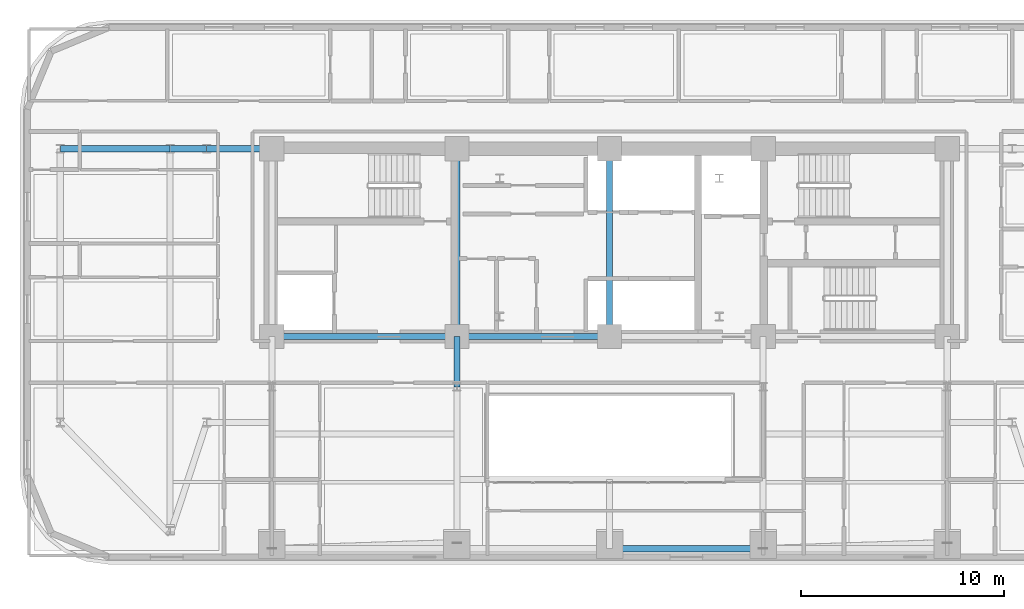
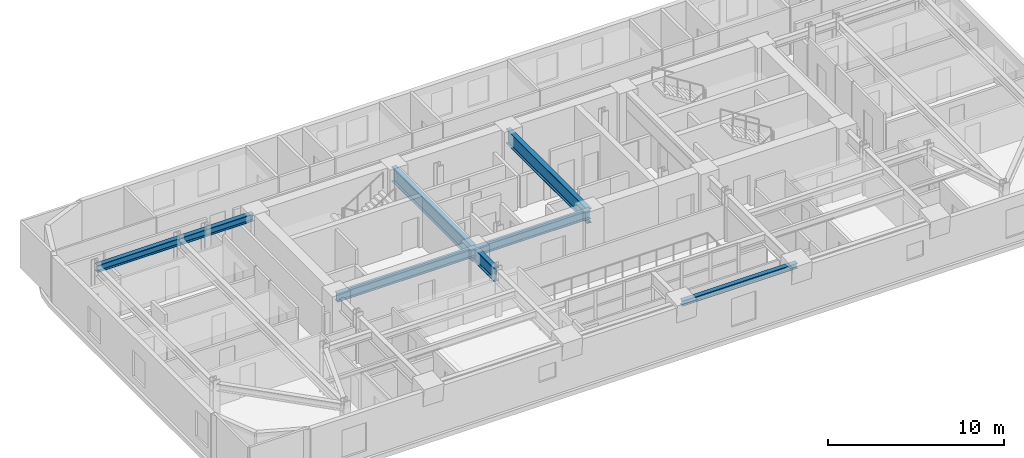
# One storey, part 4 of 16: 9 beams.
"""IFC4 building model written with IfcOpenShell, lengths in metres."""

from ifc_helpers import new_model, si_unit, direction, frame, origin, origin_2d, place, context, subcontext, project, spatial, i_section, extrude, material, material_profile, profile_set, type_object, element, save


model = new_model("IFC4")

# Units and contexts
model_context = context("Model", 3, precision=1e-05, world=origin(), true_north=direction((0.0, 1.0)))
body_context = subcontext(model_context, "Body", "Model", "MODEL_VIEW")
ifc_project = project(units=[si_unit("LENGTHUNIT", "METRE"), si_unit("AREAUNIT", "SQUARE_METRE"), si_unit("VOLUMEUNIT", "CUBIC_METRE"), si_unit("PLANEANGLEUNIT", "RADIAN"), si_unit("MASSUNIT", "GRAM", prefix="KILO")], contexts=[model_context])

# Site, building, storey
site_placement = place(None, origin())
site = spatial("IfcSite", under=ifc_project, at=site_placement, CompositionType="ELEMENT")
building_placement = place(site_placement, origin())
building = spatial("IfcBuilding", under=site, at=building_placement, Name="Zarnavel Station Tower", CompositionType="ELEMENT")
storey_placement = place(building_placement, frame((0.0, 0.0, 94.300048828125)))
storey = spatial("IfcBuildingStorey", under=building, at=storey_placement, Name="L25", CompositionType="ELEMENT", Elevation=94.300048828125)

# Beams
ifc_material_1 = material(Name="Steel S355J2", Category="steel")
ifc_material_profile_1 = material_profile(ifc_material_1, i_section(OverallWidth=0.300048828125, OverallDepth=0.360107421875, WebThickness=0.012451171875, FlangeThickness=0.0224609375, FilletRadius=0.027099609375, at=origin_2d()), Name="HEB360")
ifc_profile_set_1 = profile_set([ifc_material_profile_1], Name="Steel S355J2")
beam_type_1 = type_object("IfcBeamType", Name="EB_HEB360", PredefinedType="SPANDREL", material=ifc_profile_set_1)
beam_1_placement = place(storey_placement, frame((28.800048828125, 17.388916015625, 3.06005859375), z_axis=(1.0, 0.0, 0.0), x_axis=(0.0, 1.0, 0.0)))
element("IfcBeam", 1, at=beam_1_placement, inside=storey, type_object=beam_type_1, Name="L25 South Raked Spandrel 3", PredefinedType="SPANDREL", context=body_context, shape_type="SweptSolid", body=[
    extrude(i_section(OverallWidth=0.300048828125, OverallDepth=0.360107421875, WebThickness=0.012451171875, FlangeThickness=0.0224609375, FilletRadius=0.027099609375, at=origin_2d()), origin(), (0.0, 0.0, 1.0), 7.550048828125),
])
ifc_material_2 = material(Name="Steel S355J2", Category="steel")
ifc_material_profile_2 = material_profile(ifc_material_2, i_section(OverallWidth=0.300048828125, OverallDepth=0.5, WebThickness=0.014404296875, FlangeThickness=0.028076171875, FilletRadius=0.027099609375, at=origin_2d()), Name="HEB500")
ifc_profile_set_2 = profile_set([ifc_material_profile_2], Name="Steel S355J2")
beam_type_2 = type_object("IfcBeamType", Name="FG_HEB500", PredefinedType="USERDEFINED", material=ifc_profile_set_2)
beam_2_placement = place(storey_placement, frame((1.800048828125, 37.050048828125, 2.989990234375), z_axis=(1.0, 0.0, 0.0), x_axis=(0.0, 1.0, 0.0)))
element("IfcBeam", 2, at=beam_2_placement, inside=storey, type_object=beam_type_2, Name="L25 West Wing North Tie 1", ObjectType="GIRDER", PredefinedType="USERDEFINED", context=body_context, shape_type="SweptSolid", body=[
    extrude(i_section(OverallWidth=0.300048828125, OverallDepth=0.5, WebThickness=0.014404296875, FlangeThickness=0.028076171875, FilletRadius=0.027099609375, at=origin_2d()), origin(), (0.0, 0.0, 1.0), 5.39990234375),
])
beam_3_placement = place(storey_placement, frame((7.199951171875, 37.050048828125, 2.989990234375), z_axis=(1.0, 0.0, 0.0), x_axis=(0.0, 1.0, 0.0)))
element("IfcBeam", 3, at=beam_3_placement, inside=storey, type_object=beam_type_2, Name="L25 West Wing North Tie 2", ObjectType="GIRDER", PredefinedType="USERDEFINED", context=body_context, shape_type="SweptSolid", body=[
    extrude(i_section(OverallWidth=0.300048828125, OverallDepth=0.5, WebThickness=0.014404296875, FlangeThickness=0.028076171875, FilletRadius=0.027099609375, at=origin_2d()), origin(), (0.0, 0.0, 1.0), 1.800048828125),
])
beam_4_placement = place(storey_placement, frame((9.0, 37.050048828125, 2.989990234375), z_axis=(1.0, 0.0, 0.0), x_axis=(0.0, 1.0, 0.0)))
element("IfcBeam", 4, at=beam_4_placement, inside=storey, type_object=beam_type_2, Name="L25 West Wing North Tie 3", ObjectType="GIRDER", PredefinedType="USERDEFINED", context=body_context, shape_type="SweptSolid", body=[
    extrude(i_section(OverallWidth=0.300048828125, OverallDepth=0.5, WebThickness=0.014404296875, FlangeThickness=0.028076171875, FilletRadius=0.027099609375, at=origin_2d()), origin(), (0.0, 0.0, 1.0), 3.054931640625),
])
ifc_material_3 = material(Name="Steel S355J2", Category="steel")
ifc_material_profile_3 = material_profile(ifc_material_3, i_section(OverallWidth=0.300048828125, OverallDepth=0.60009765625, WebThickness=0.015380859375, FlangeThickness=0.030029296875, FilletRadius=0.027099609375, at=origin_2d()), Name="HEB600")
ifc_profile_set_3 = profile_set([ifc_material_profile_3], Name="Steel S355J2")
beam_type_3 = type_object("IfcBeamType", Name="FG_HEB600", PredefinedType="USERDEFINED", material=ifc_profile_set_3)
beam_5_placement = place(storey_placement, frame((12.199951171875, 27.820068359375, 2.93994140625), z_axis=(1.0, 0.0, 0.0), x_axis=(0.0, 1.0, 0.0)))
element("IfcBeam", 5, at=beam_5_placement, inside=storey, type_object=beam_type_3, Name="L25 Core Front Coupling Beam 1", ObjectType="GIRDER", PredefinedType="USERDEFINED", context=body_context, shape_type="SweptSolid", body=[
    extrude(i_section(OverallWidth=0.300048828125, OverallDepth=0.60009765625, WebThickness=0.015380859375, FlangeThickness=0.030029296875, FilletRadius=0.027099609375, at=origin_2d()), origin(), (0.0, 0.0, 1.0), 9.10009765625),
])
beam_6_placement = place(storey_placement, frame((21.300048828125, 27.820068359375, 2.93994140625), z_axis=(1.0, 0.0, 0.0), x_axis=(0.0, 1.0, 0.0)))
element("IfcBeam", 6, at=beam_6_placement, inside=storey, type_object=beam_type_3, Name="L25 Core Front Coupling Beam 2", ObjectType="GIRDER", PredefinedType="USERDEFINED", context=body_context, shape_type="SweptSolid", body=[
    extrude(i_section(OverallWidth=0.300048828125, OverallDepth=0.60009765625, WebThickness=0.015380859375, FlangeThickness=0.030029296875, FilletRadius=0.027099609375, at=origin_2d()), origin(), (0.0, 0.0, 1.0), 7.5),
])
ifc_material_4 = material(Name="Steel S460M", Category="steel")
ifc_material_profile_4 = material_profile(ifc_material_4, i_section(OverallWidth=0.302001953125, OverallDepth=1.008056640625, WebThickness=0.02099609375, FlangeThickness=0.0400390625, FilletRadius=0.030029296875, at=origin_2d()), Name="HEM1000")
ifc_profile_set_4 = profile_set([ifc_material_profile_4], Name="Steel S460M")
beam_type_4 = type_object("IfcBeamType", Name="TG_HEM1000", PredefinedType="USERDEFINED", material=ifc_profile_set_4)
for number, where, z_axis, x_axis, name in (
    (7, (21.300048828125, 27.820068359375, 2.73583984375), (0.0, 1.0, 0.0), (-1.0, 0.0, 0.0), "L25 Core Spine Coupling Girder 2"),
    (8, (28.800048828125, 27.820068359375, 2.73583984375), (0.0, 1.0, 0.0), (-1.0, 0.0, 0.0), "L25 Core Spine Coupling Girder 3"),
):
    element("IfcBeam", number, at=place(storey_placement, frame(where, z_axis=z_axis, x_axis=x_axis)), inside=storey, type_object=beam_type_4, Name=name, ObjectType="GIRDER", PredefinedType="USERDEFINED", context=body_context, shape_type="SweptSolid", body=[
        extrude(i_section(OverallWidth=0.302001953125, OverallDepth=1.008056640625, WebThickness=0.02099609375, FlangeThickness=0.0400390625, FilletRadius=0.030029296875, at=origin_2d()), origin(), (0.0, 0.0, 1.0), 9.22998046875),
    ])
ifc_material_5 = material(Name="Steel S460M", Category="steel")
ifc_material_profile_5 = material_profile(ifc_material_5, i_section(OverallWidth=0.302001953125, OverallDepth=0.909912109375, WebThickness=0.02099609375, FlangeThickness=0.0400390625, FilletRadius=0.030029296875, at=origin_2d()), Name="HEM900")
ifc_profile_set_5 = profile_set([ifc_material_profile_5], Name="Steel S460M")
beam_type_5 = type_object("IfcBeamType", Name="TG_HEM900", PredefinedType="USERDEFINED", material=ifc_profile_set_5)
beam_7_placement = place(storey_placement, frame((21.300048828125, 25.35009765625, 2.784912109375), z_axis=(0.0, 1.0, 0.0), x_axis=(-1.0, 0.0, 0.0)))
element("IfcBeam", 9, at=beam_7_placement, inside=storey, type_object=beam_type_5, Name="L25 Inner-Zone NS Girder 2", ObjectType="GIRDER", PredefinedType="USERDEFINED", context=body_context, shape_type="SweptSolid", body=[
    extrude(i_section(OverallWidth=0.302001953125, OverallDepth=0.909912109375, WebThickness=0.02099609375, FlangeThickness=0.0400390625, FilletRadius=0.030029296875, at=origin_2d()), origin(), (0.0, 0.0, 1.0), 2.469970703125),
])

save(model, "model.ifc")
